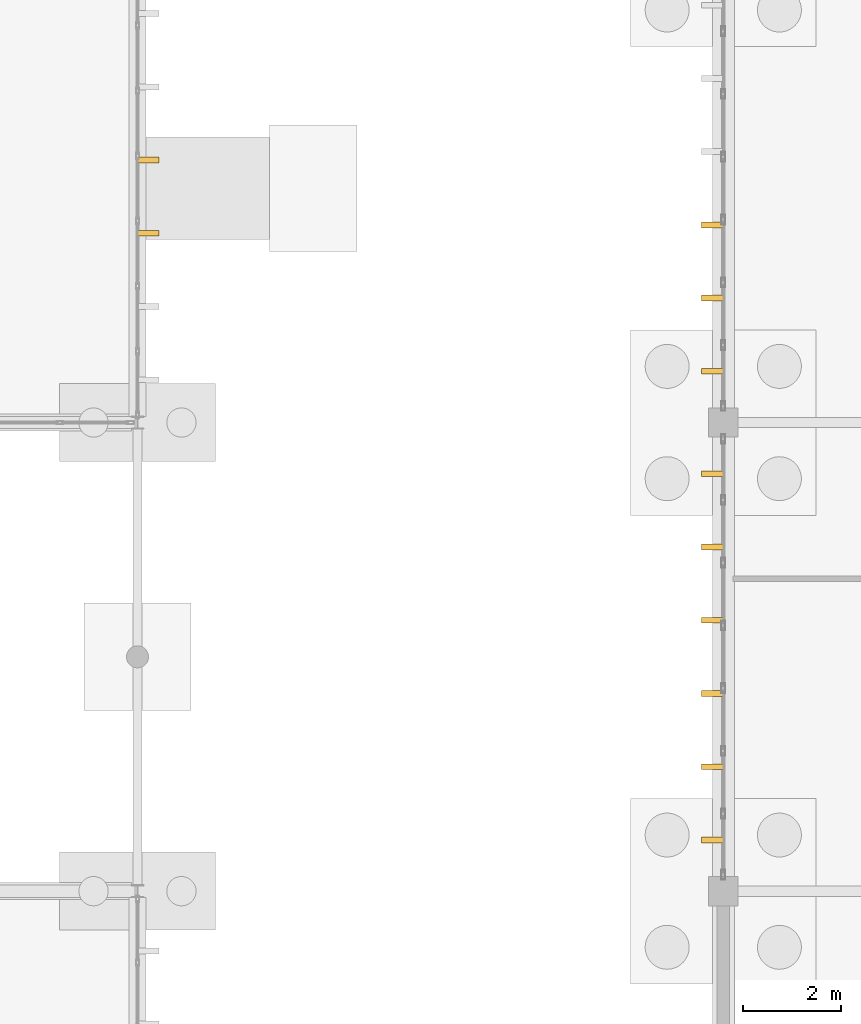
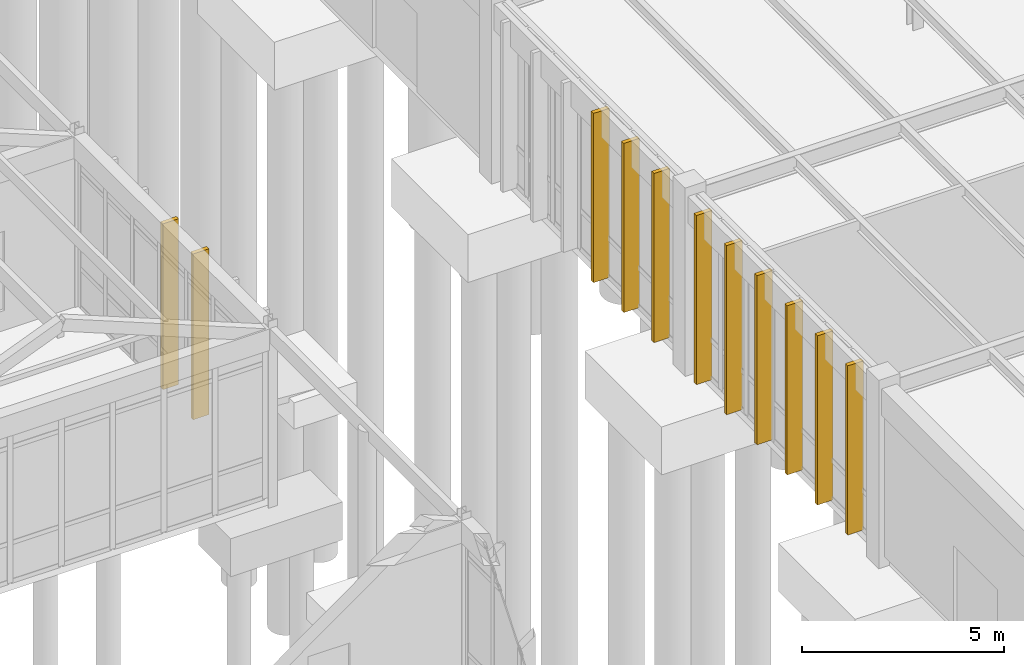
# One storey, part 174 of 188: 11 shading devices.
"""IFC4 building model written with IfcOpenShell, lengths in metres."""

from ifc_helpers import new_model, si_unit, direction, frame, origin, origin_2d, place, context, subcontext, project, spatial, rectangle, extrude, material, type_object, element, save


model = new_model("IFC4")

# Units and contexts
model_context = context("Model", 3, precision=1e-05, world=origin(), true_north=direction((0.0, 1.0)))
body_context = subcontext(model_context, "Body", "Model", "MODEL_VIEW")
ifc_project = project(units=[si_unit("LENGTHUNIT", "METRE"), si_unit("AREAUNIT", "SQUARE_METRE"), si_unit("VOLUMEUNIT", "CUBIC_METRE"), si_unit("PLANEANGLEUNIT", "RADIAN"), si_unit("MASSUNIT", "GRAM", prefix="KILO")], contexts=[model_context])

# Site, building, storey
site_placement = place(None, origin())
site = spatial("IfcSite", under=ifc_project, at=site_placement, CompositionType="ELEMENT")
building_placement = place(site_placement, origin())
building = spatial("IfcBuilding", under=site, at=building_placement, Name="Pandanus Reach Market Hall", CompositionType="ELEMENT")
storey_placement = place(building_placement, origin())
storey = spatial("IfcBuildingStorey", under=building, at=storey_placement, Name="L00", CompositionType="ELEMENT", Elevation=0.0)

# Shading devices
ifc_material = material(Name="Precast concrete S50 (50 MPa)", Category="concrete")
shading_device_type = type_object("IfcShadingDeviceType", Name="FN-S50-450", PredefinedType="JALOUSIE", material=ifc_material)
for number, where, z_axis, x_axis, name in (
    (1, (47.780029296875, 49.050048828125, -0.010009765625), (0.0, 0.0, 1.0), (-1.0, 0.0, 0.0), "Precast brise-soleil fin 96"),
    (2, (47.780029296875, 50.550048828125, -0.010009765625), (0.0, 0.0, 1.0), (-1.0, 0.0, 0.0), "Precast brise-soleil fin 97"),
    (3, (47.780029296875, 52.050048828125, -0.010009765625), (0.0, 0.0, 1.0), (-1.0, 0.0, 0.0), "Precast brise-soleil fin 98"),
    (4, (47.780029296875, 53.550048828125, -0.010009765625), (0.0, 0.0, 1.0), (-1.0, 0.0, 0.0), "Precast brise-soleil fin 99"),
    (5, (47.780029296875, 55.050048828125, -0.010009765625), (0.0, 0.0, 1.0), (-1.0, 0.0, 0.0), "Precast brise-soleil fin 100"),
    (6, (47.780029296875, 56.550048828125, -0.010009765625), (0.0, 0.0, 1.0), (-1.0, 0.0, 0.0), "Precast brise-soleil fin 101"),
    (7, (47.780029296875, 58.64990234375, -0.010009765625), (0.0, 0.0, 1.0), (-1.0, 0.0, 0.0), "Precast brise-soleil fin 120"),
    (8, (47.780029296875, 60.14990234375, -0.010009765625), (0.0, 0.0, 1.0), (-1.0, 0.0, 0.0), "Precast brise-soleil fin 121"),
    (9, (47.780029296875, 61.64990234375, -0.010009765625), (0.0, 0.0, 1.0), (-1.0, 0.0, 0.0), "Precast brise-soleil fin 122"),
):
    element("IfcShadingDevice", number, at=place(storey_placement, frame(where, z_axis=z_axis, x_axis=x_axis)), inside=storey, type_object=shading_device_type, Name=name, PredefinedType="JALOUSIE", context=body_context, shape_type="SweptSolid", body=[
        extrude(rectangle(XDim=0.449951171875, YDim=0.1201171875, at=origin_2d()), origin(), (0.0, 0.0, 1.0), 5.1201171875),
    ])
for number, where, z_axis, x_axis, name in (
    (10, (36.219970703125, 61.47705078125, -0.010009765625), (0.0, 0.0, 1.0), (1.0, 0.0, 0.0), "Precast brise-soleil fin 184"),
    (11, (36.219970703125, 62.97705078125, -0.010009765625), (0.0, 0.0, 1.0), (1.0, 0.0, 0.0), "Precast brise-soleil fin 185"),
):
    element("IfcShadingDevice", number, at=place(storey_placement, frame(where, z_axis=z_axis, x_axis=x_axis)), inside=storey, type_object=shading_device_type, Name=name, PredefinedType="JALOUSIE", context=body_context, shape_type="SweptSolid", body=[
        extrude(rectangle(XDim=0.449951171875, YDim=0.1201171875, at=origin_2d()), origin(), (0.0, 0.0, 1.0), 5.02001953125),
    ])

save(model, "model.ifc")
